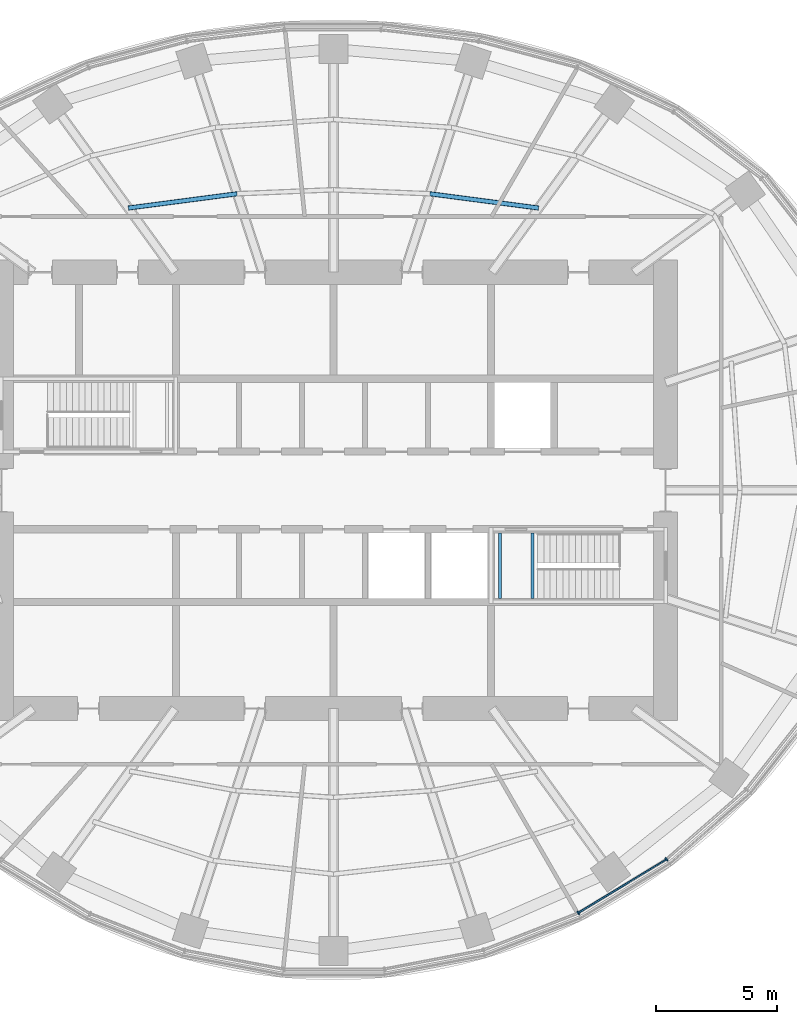
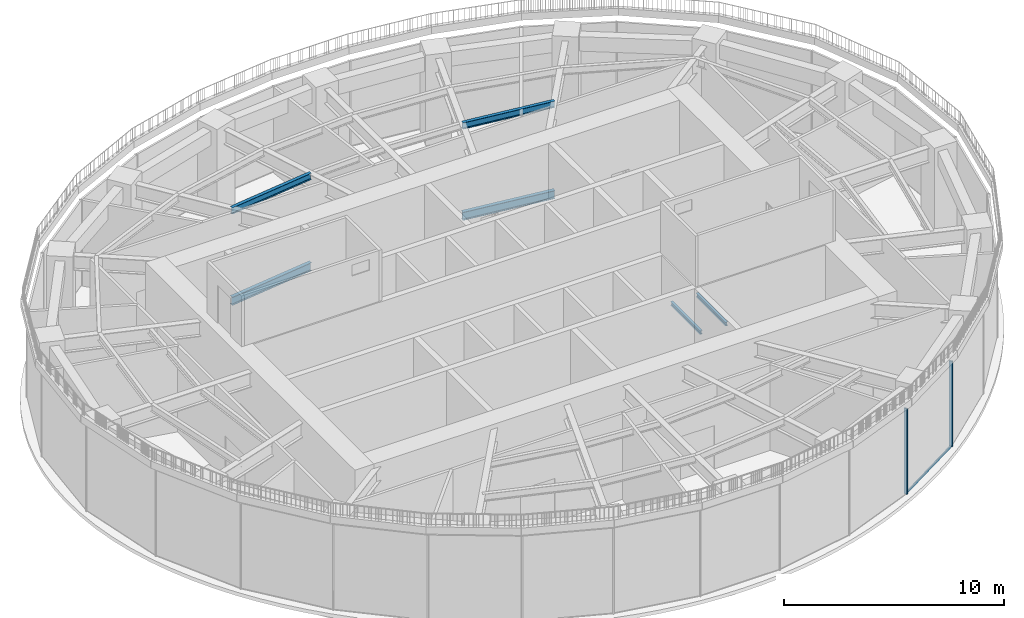
# One storey, part 5 of 19: 6 beams, 3 members, 1 element without a shape of its own.
"""IFC4 building model written with IfcOpenShell, lengths in metres."""

from ifc_helpers import new_model, si_unit, direction, frame, origin, origin_2d, place, context, subcontext, project, spatial, rectangle, i_section, extrude, material, material_profile, profile_set, type_object, element, aggregate, save


model = new_model("IFC4")

# Units and contexts
model_context = context("Model", 3, precision=1e-05, world=origin(), true_north=direction((0.0, 1.0)))
body_context = subcontext(model_context, "Body", "Model", "MODEL_VIEW")
ifc_project = project(units=[si_unit("LENGTHUNIT", "METRE"), si_unit("AREAUNIT", "SQUARE_METRE"), si_unit("VOLUMEUNIT", "CUBIC_METRE"), si_unit("PLANEANGLEUNIT", "RADIAN"), si_unit("MASSUNIT", "GRAM", prefix="KILO")], contexts=[model_context])

# Site, building, storey
site_placement = place(None, origin())
site = spatial("IfcSite", under=ifc_project, at=site_placement, CompositionType="ELEMENT")
building_placement = place(site_placement, origin())
building = spatial("IfcBuilding", under=site, at=building_placement, Name="Marramba Exchange Tower", CompositionType="ELEMENT")
storey_placement = place(building_placement, frame((0.0, 0.0, 277.0)))
storey = spatial("IfcBuildingStorey", under=building, at=storey_placement, Name="L67", CompositionType="ELEMENT", Elevation=277.0)

# Beams
ifc_material_1 = material(Name="Steel AS/NZS 3679.1 grade 300", Category="steel")
ifc_material_profile_1 = material_profile(ifc_material_1, i_section(OverallWidth=0.1708984375, OverallDepth=0.35595703125, WebThickness=0.00732421875, FlangeThickness=0.011474609375, FilletRadius=0.011474609375, at=origin_2d()), Name="360UB50.7")
ifc_profile_set_1 = profile_set([ifc_material_profile_1], Name="Steel AS/NZS 3679.1 grade 300")
beam_type_1 = type_object("IfcBeamType", Name="Floor joist 360UB50.7", PredefinedType="JOIST", material=ifc_profile_set_1)
for number, where, z_axis, x_axis, name in (
    (1, (8.4619140625, 11.646728515625, 4.572021484375), (-0.991480538255, 0.130254912618, 0.0), (-0.130254912618, -0.991480538255, 0.0), "Joist RF bay 04 row 1"),
    (2, (-3.975830078125, 12.236083984375, 4.572021484375), (-0.991480538255, -0.130254912618, 0.0), (0.130254912618, -0.991480538255, 0.0), "Joist RF bay 07 row 1"),
):
    element("IfcBeam", number, at=place(storey_placement, frame(where, z_axis=z_axis, x_axis=x_axis)), inside=storey, type_object=beam_type_1, Name=name, PredefinedType="JOIST", context=body_context, shape_type="SweptSolid", body=[
        extrude(i_section(OverallWidth=0.1708984375, OverallDepth=0.35595703125, WebThickness=0.00732421875, FlangeThickness=0.011474609375, FilletRadius=0.011474609375, at=origin_2d()), origin(), (0.0, 0.0, 1.0), 4.524658203125),
    ])
ifc_material_profile_2 = material_profile(ifc_material_1, i_section(OverallWidth=0.18994140625, OverallDepth=0.4541015625, WebThickness=0.008544921875, FlangeThickness=0.0126953125, FilletRadius=0.011474609375, at=origin_2d()), Name="460UB67.1")
ifc_profile_set_2 = profile_set([ifc_material_profile_2], Name="Steel AS/NZS 3679.1 grade 300")
beam_type_2 = type_object("IfcBeamType", Name="Floor joist 460UB67.1", PredefinedType="JOIST", material=ifc_profile_set_2)
for number, where, z_axis, x_axis, name in (
    (3, (8.4619140625, 11.646728515625, -0.427001953125), (-0.991480538255, 0.130254912618, 0.0), (-0.130254912618, -0.991480538255, 0.0), "Joist L67 bay 04 row 1"),
    (4, (-3.975830078125, 12.236083984375, -0.427001953125), (-0.991480538255, -0.130254912618, 0.0), (0.130254912618, -0.991480538255, 0.0), "Joist L67 bay 07 row 1"),
):
    element("IfcBeam", number, at=place(storey_placement, frame(where, z_axis=z_axis, x_axis=x_axis)), inside=storey, type_object=beam_type_2, Name=name, PredefinedType="JOIST", context=body_context, shape_type="SweptSolid", body=[
        extrude(i_section(OverallWidth=0.18994140625, OverallDepth=0.4541015625, WebThickness=0.008544921875, FlangeThickness=0.0126953125, FilletRadius=0.011474609375, at=origin_2d()), origin(), (0.0, 0.0, 1.0), 4.524658203125),
    ])

# Curtain wall, members
ifc_material_2 = material(Name="Aluminium framing, bronze anodised", Category="aluminium")
curtain_wall_type = type_object("IfcCurtainWallType", Name="Plant floor louvred curtain wall", PredefinedType="USERDEFINED", material=ifc_material_2)
curtain_wall_placement = place(storey_placement, origin())
curtain_wall = element("IfcCurtainWall", 5, at=curtain_wall_placement, inside=storey, type_object=curtain_wall_type, Name="Curtain wall CW6 L67 F26-F30", ObjectType="RIBBON CURTAIN WALL", PredefinedType="USERDEFINED")
ifc_material_3 = material(Name="Aluminium mullion, bronze anodised", Category="aluminium")
ifc_material_profile_3 = material_profile(ifc_material_3, rectangle(XDim=0.159912109375, YDim=0.06005859375, at=origin_2d()), Name="CW6 mullion 60x160")
ifc_profile_set_3 = profile_set([ifc_material_profile_3], Name="Aluminium mullion, bronze anodised")
member_type_1 = type_object("IfcMemberType", Name="Plant floor louvred curtain wall mullion", PredefinedType="MULLION", material=ifc_profile_set_3)
member_1_placement = place(storey_placement, frame((10.09619140625, -17.42724609375, 0.0), z_axis=(0.0, 0.0, 1.0), x_axis=(-0.519115121209, 0.854704329539, 0.0)))
member_1 = element("IfcMember", 6, at=member_1_placement, type_object=member_type_1, Name="CW6 mullion 1", PredefinedType="MULLION", context=body_context, shape_type="SweptSolid", body=[
    extrude(rectangle(XDim=0.159912109375, YDim=0.06005859375, at=origin_2d()), origin(), (0.0, 0.0, 1.0), 4.75),
])
member_2_placement = place(storey_placement, frame((13.736083984375, -15.21044921875, 0.0), z_axis=(0.0, 0.0, 1.0), x_axis=(-0.658305290779, 0.752751050569, 0.0)))
member_2 = element("IfcMember", 7, at=member_2_placement, type_object=member_type_1, Name="CW6 mullion 1", PredefinedType="MULLION", context=body_context, shape_type="SweptSolid", body=[
    extrude(rectangle(XDim=0.159912109375, YDim=0.06005859375, at=origin_2d()), origin(), (0.0, 0.0, 1.0), 4.75),
])
ifc_material_4 = material(Name="Aluminium transom, bronze anodised", Category="aluminium")
ifc_material_profile_4 = material_profile(ifc_material_4, rectangle(XDim=0.06005859375, YDim=0.1201171875, at=origin_2d()), Name="CW6 transom 60x120")
ifc_profile_set_4 = profile_set([ifc_material_profile_4], Name="Aluminium transom, bronze anodised")
member_type_2 = type_object("IfcMemberType", Name="Plant floor louvred curtain wall transom", PredefinedType="USERDEFINED", material=ifc_profile_set_4)
member_3_placement = place(storey_placement, frame((10.121826171875, -17.41162109375, 0.030029296875), z_axis=(0.854701897511, 0.519119125434, 0.0), x_axis=(-0.519119125434, 0.854701897511, 0.0)))
member_3 = element("IfcMember", 8, at=member_3_placement, type_object=member_type_2, Name="CW6 sill transom", ObjectType="TRANSOM", PredefinedType="USERDEFINED", context=body_context, shape_type="SweptSolid", body=[
    extrude(rectangle(XDim=0.06005859375, YDim=0.1201171875, at=origin_2d()), origin(), (0.0, 0.0, 1.0), 4.2021484375),
])
aggregate(curtain_wall, [member_1, member_3, member_2])

# Beams
ifc_material_profile_5 = material_profile(ifc_material_1, i_section(OverallWidth=0.133056640625, OverallDepth=0.202880859375, WebThickness=0.005859375, FlangeThickness=0.0078125, FilletRadius=0.0087890625, at=origin_2d()), Name="200UB25.4")
ifc_profile_set_5 = profile_set([ifc_material_profile_5], Name="Steel AS/NZS 3679.1 grade 300")
beam_type_3 = type_object("IfcBeamType", Name="Stair landing beam 200UB25.4", PredefinedType="BEAM", material=ifc_profile_set_5)
for number, where, z_axis, x_axis, name in (
    (9, (6.866455078125, -4.449951171875, 2.198486328125), (0.0, 1.0, 0.0), (-1.0, 0.0, 0.0), "Stair landing beam SLB1 ST2 L67 1"),
    (10, (8.20361328125, -4.449951171875, 2.198486328125), (0.0, 1.0, 0.0), (-1.0, 0.0, 0.0), "Stair landing beam SLB1 ST2 L67 2"),
):
    element("IfcBeam", number, at=place(storey_placement, frame(where, z_axis=z_axis, x_axis=x_axis)), inside=storey, type_object=beam_type_3, Name=name, PredefinedType="BEAM", context=body_context, shape_type="SweptSolid", body=[
        extrude(i_section(OverallWidth=0.133056640625, OverallDepth=0.202880859375, WebThickness=0.005859375, FlangeThickness=0.0078125, FilletRadius=0.0087890625, at=origin_2d()), origin(), (0.0, 0.0, 1.0), 2.699951171875),
    ])

save(model, "model.ifc")
